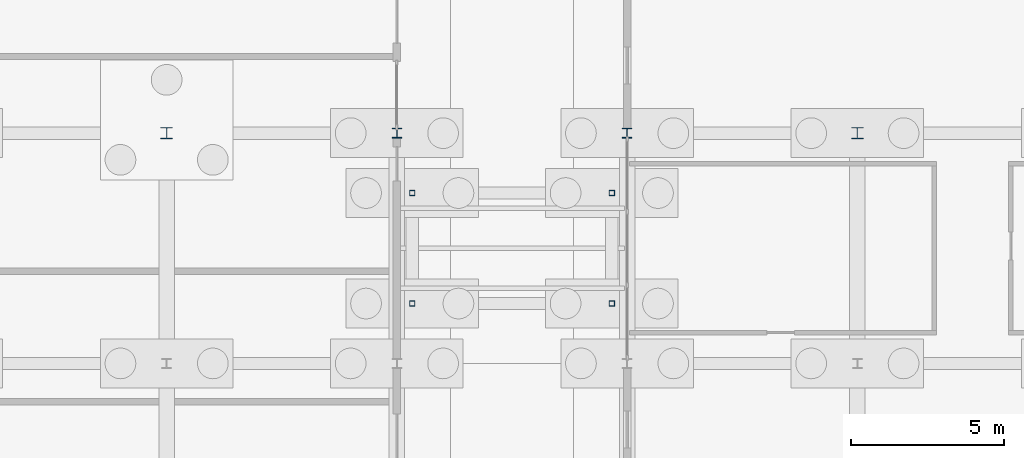
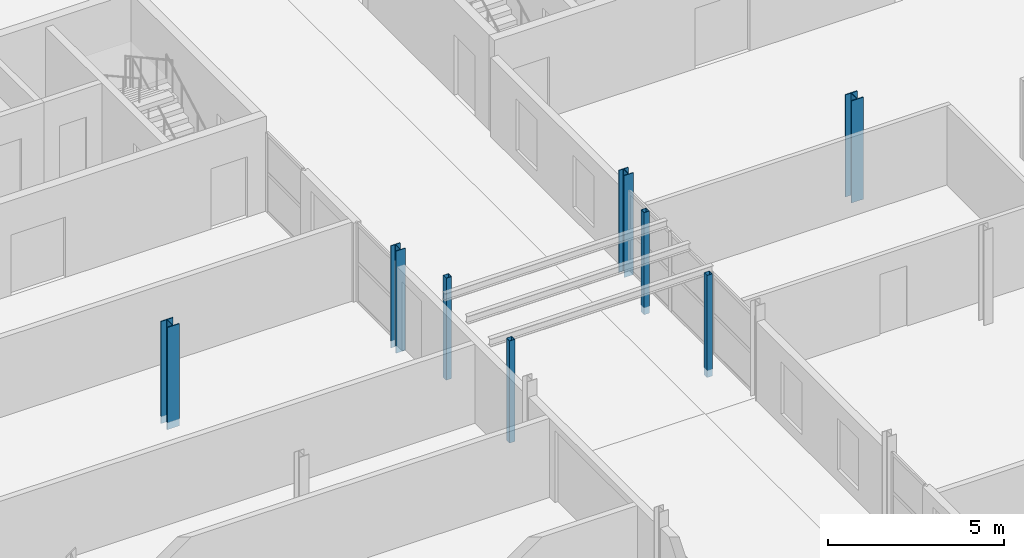
# One storey, part 28 of 130: 8 columns.
"""IFC4 building model written with IfcOpenShell, lengths in metres."""

import ifcopenshell
import ifcopenshell.guid

model = None  # the IFC model being written
_history = None  # IfcOwnerHistory: only IFC2X3 demands one
_inside = {}  # id of a spatial element -> (the spatial element, [elements in it])
_under = {}  # id of a project, library or spatial element -> (it, [spatial elements below it])
_declared = {}  # id of a project -> (the project, [libraries it declares])
_typed = {}  # id of a type object -> (the type object, [elements of that type])
_made_of = {}  # id of a material, layer set ... -> (it, [elements and type objects made of it])


def new_model(schema):
    """Start an empty IFC model of exactly this schema.

    Asked for "IFC4X3", IfcOpenShell would pick the latest addendum, in which some entities
    have other attributes; the version numbers below select the first issue.
    IFC2X3 requires an IfcOwnerHistory on every rooted entity: one is made here for all.
    """
    global model, _history
    if schema == "IFC4X3":
        model = ifcopenshell.file(schema_version=(4, 3, 0, 0))
    else:
        model = ifcopenshell.file(schema=schema)
    _inside.clear()
    _under.clear()
    _declared.clear()
    _typed.clear()
    _made_of.clear()
    _history = None
    if model.schema == "IFC2X3":
        org = make("IfcOrganization", Name="unknown")
        user = make(
            "IfcPersonAndOrganization",
            ThePerson=make("IfcPerson", FamilyName="unknown"),
            TheOrganization=org,
        )
        app = make(
            "IfcApplication",
            ApplicationDeveloper=org,
            Version="unknown",
            ApplicationFullName="unknown",
            ApplicationIdentifier="unknown",
        )
        _history = make(
            "IfcOwnerHistory",
            OwningUser=user,
            OwningApplication=app,
            ChangeAction="ADDED",
            CreationDate=0,
        )
    return model


def make(cls, **values):
    """One entity of the class cls with the attributes given. An attribute that is None is left unset."""
    return model.create_entity(
        cls, **{name: value for name, value in values.items() if value is not None}
    )


def rooted(cls, **values):
    """An entity with a GlobalId (a new one), such as an element, a storey or a relation."""
    return make(cls, GlobalId=ifcopenshell.guid.new(), OwnerHistory=_history, **values)


def si_unit(unit_type, name, prefix=None):
    """IfcSIUnit, for example si_unit("LENGTHUNIT", "METRE", prefix="MILLI")."""
    return make("IfcSIUnit", UnitType=unit_type, Prefix=prefix, Name=name)


def assignment(units):
    """IfcUnitAssignment: the units of a project."""
    return None if units is None else make("IfcUnitAssignment", Units=units)


def point(xyz):
    """IfcCartesianPoint."""
    return None if xyz is None else make("IfcCartesianPoint", Coordinates=xyz)


def direction(xyz):
    """IfcDirection."""
    return None if xyz is None else make("IfcDirection", DirectionRatios=xyz)


def frame(location, z_axis=None, x_axis=None):
    """IfcAxis2Placement3D, a coordinate frame: its origin and axes. An axis left out is left unset."""
    return make(
        "IfcAxis2Placement3D",
        Location=point(location),
        Axis=direction(z_axis),
        RefDirection=direction(x_axis),
    )


def frame_2d(location, x_axis=None):
    """IfcAxis2Placement2D, a coordinate frame in the plane: its origin and x axis."""
    return make(
        "IfcAxis2Placement2D", Location=point(location), RefDirection=direction(x_axis)
    )


def origin():
    """The frame at (0, 0, 0) with its axes left unset."""
    return frame((0.0, 0.0, 0.0))


def origin_2d():
    """The frame at (0, 0) in the plane with its x axis left unset."""
    return frame_2d((0.0, 0.0))


def place(relative_to, where):
    """IfcLocalPlacement: puts the frame where relative to a parent placement (None: the world)."""
    return make(
        "IfcLocalPlacement", PlacementRelTo=relative_to, RelativePlacement=where
    )


def context(
    kind, dimensions, precision=None, world=None, true_north=None, identifier=None
):
    """IfcGeometricRepresentationContext, for example the 3D "Model" context."""
    return make(
        "IfcGeometricRepresentationContext",
        ContextIdentifier=identifier,
        ContextType=kind,
        CoordinateSpaceDimension=dimensions,
        Precision=precision,
        WorldCoordinateSystem=world,
        TrueNorth=true_north,
    )


def subcontext(parent, identifier, kind, view, scale=None):
    """IfcGeometricRepresentationSubContext, for example "Body" below "Model"."""
    return make(
        "IfcGeometricRepresentationSubContext",
        ContextIdentifier=identifier,
        ContextType=kind,
        ParentContext=parent,
        TargetScale=scale,
        TargetView=view,
    )


def project(units=None, contexts=None):
    """IfcProject with its units and contexts."""
    return rooted(
        "IfcProject",
        Name="project",
        RepresentationContexts=contexts,
        UnitsInContext=assignment(units),
    )


def spatial(cls, under=None, at=None, **own):
    """A site, building, storey or space (cls), placed at a placement, below another one or the project."""
    s = rooted(cls, ObjectPlacement=at, **own)
    if under is not None:
        _under.setdefault(under.id(), (under, []))[1].append(s)
    return s


def profile(cls, at=None, kind="AREA", **sizes):
    """A parametric profile (cls). Its sizes go by their IFC names, for example OverallWidth=200.0."""
    return make(cls, ProfileType=kind, Position=at, **sizes)


def hollow_rectangle(**sizes):
    """IfcRectangleHollowProfileDef."""
    return profile("IfcRectangleHollowProfileDef", **sizes)


def i_section(**sizes):
    """IfcIShapeProfileDef."""
    return profile("IfcIShapeProfileDef", **sizes)


def extrude(swept, where, along, depth):
    """IfcExtrudedAreaSolid: the profile swept, set in the frame where, extruded along a direction by depth."""
    return make(
        "IfcExtrudedAreaSolid",
        SweptArea=swept,
        Position=where,
        ExtrudedDirection=direction(along),
        Depth=depth,
    )


def shape(context_of_items, identifier, shape_type, items):
    """IfcShapeRepresentation: the items that make up one representation, for example the "Body"."""
    return make(
        "IfcShapeRepresentation",
        ContextOfItems=context_of_items,
        RepresentationIdentifier=identifier,
        RepresentationType=shape_type,
        Items=items,
    )


def material(Name=None, Category=None):
    """IfcMaterial."""
    return make("IfcMaterial", Name=Name, Category=Category)


def material_profile(
    of_material, cross_section, Name=None, Category=None, Priority=None
):
    """IfcMaterialProfile: a cross section and its material."""
    return make(
        "IfcMaterialProfile",
        Name=Name,
        Material=of_material,
        Profile=cross_section,
        Priority=Priority,
        Category=Category,
    )


def profile_set(profiles, Name=None, composite=None):
    """IfcMaterialProfileSet."""
    return make(
        "IfcMaterialProfileSet",
        Name=Name,
        MaterialProfiles=profiles,
        CompositeProfile=composite,
    )


def made_of(thing, what):
    """Note that an element or type object is made of a material, layer set ...; save() writes the relation."""
    if what is not None:
        _made_of.setdefault(what.id(), (what, []))[1].append(thing)
    return thing


def type_object(cls, material=None, **own):
    """A type object (cls), such as IfcWallType, which elements share."""
    return made_of(rooted(cls, **own), material)


def element(
    cls,
    number,
    at=None,
    inside=None,
    cuts=None,
    type_object=None,
    material=None,
    context=None,
    identifier="Body",
    shape_type=None,
    held_by="IfcProductDefinitionShape",
    body=None,
    shapes=None,
    **own,
):
    """One element of the class cls, such as IfcWall. Its Tag is "e" and its number.

    at: its placement. inside: the storey or other place that contains it. cuts: it is an
    opening in that element (IfcRelVoidsElement). A single representation is given by context,
    identifier, shape_type and body (its items); several are given by shapes. held_by: the class
    of the entity that holds the representations. save() writes the other relations.
    """
    e = rooted(cls, Tag="e%d" % number, ObjectPlacement=at, **own)
    if body is not None:
        shapes = [shape(context, identifier, shape_type, body)]
    if shapes is not None:
        e.Representation = make(held_by, Representations=shapes)
    if inside is not None:
        _inside.setdefault(inside.id(), (inside, []))[1].append(e)
    if cuts is not None:
        rooted(
            "IfcRelVoidsElement", RelatingBuildingElement=cuts, RelatedOpeningElement=e
        )
    if type_object is not None:
        _typed.setdefault(type_object.id(), (type_object, []))[1].append(e)
    return made_of(e, material)


def aggregate(whole, parts):
    """IfcRelAggregates: a whole, such as a stair, and the parts it consists of."""
    return rooted("IfcRelAggregates", RelatingObject=whole, RelatedObjects=parts)


def save(model, path):
    """Write the relations noted so far, then the file.

    IfcRelAggregates (storeys below a building ...), IfcRelContainedInSpatialStructure (elements
    in a storey), IfcRelDefinesByType, IfcRelAssociatesMaterial and IfcRelDeclares: one each for
    every whole, place, type object, material and project.
    """
    for whole, parts in _under.values():
        aggregate(whole, parts)
    for where, things in _inside.values():
        rooted(
            "IfcRelContainedInSpatialStructure",
            RelatedElements=things,
            RelatingStructure=where,
        )
    for kind, things in _typed.values():
        rooted("IfcRelDefinesByType", RelatedObjects=things, RelatingType=kind)
    for what, things in _made_of.values():
        rooted("IfcRelAssociatesMaterial", RelatedObjects=things, RelatingMaterial=what)
    for by, libraries in _declared.values():
        rooted("IfcRelDeclares", RelatingContext=by, RelatedDefinitions=libraries)
    model.write(path)


model = new_model("IFC4")

# Units and contexts
model_context = context("Model", 3, precision=1e-05, world=origin(), true_north=direction((0.0, 1.0)))
body_context = subcontext(model_context, "Body", "Model", "MODEL_VIEW")
ifc_project = project(units=[si_unit("LENGTHUNIT", "METRE"), si_unit("AREAUNIT", "SQUARE_METRE"), si_unit("VOLUMEUNIT", "CUBIC_METRE"), si_unit("PLANEANGLEUNIT", "RADIAN"), si_unit("MASSUNIT", "GRAM", prefix="KILO")], contexts=[model_context])

# Site, building, storey
site_placement = place(None, origin())
site = spatial("IfcSite", under=ifc_project, at=site_placement, CompositionType="ELEMENT")
building_placement = place(site_placement, origin())
building = spatial("IfcBuilding", under=site, at=building_placement, Name="Parallax Yard Mobility Hub", CompositionType="ELEMENT")
storey_placement = place(building_placement, origin())
storey = spatial("IfcBuildingStorey", under=building, at=storey_placement, Name="L00", CompositionType="ELEMENT", Elevation=0.0)

# Columns
ifc_material_1 = material(Name="Steel ASTM A500 Gr C", Category="steel")
ifc_material_profile_1 = material_profile(ifc_material_1, hollow_rectangle(XDim=0.177734375, YDim=0.177734375, WallThickness=0.009521484375, at=origin_2d()), Name="HSS178x178x9.5")
ifc_profile_set_1 = profile_set([ifc_material_profile_1], Name="Steel ASTM A500 Gr C")
column_type_1 = type_object("IfcColumnType", Name="Roof column HSS178x178x9.5", PredefinedType="COLUMN", material=ifc_profile_set_1)
for number, where, z_axis, x_axis, name in (
    (1, (143.0, 31.949951171875, -0.25), (0.0, 0.0, 1.0), (1.0, 0.0, 0.0), "Bridge BR3 level L02 roof pier 1 at y 31.95 level L00"),
    (2, (149.5, 31.949951171875, -0.25), (0.0, 0.0, 1.0), (1.0, 0.0, 0.0), "Bridge BR3 level L02 roof pier 2 at y 31.95 level L00"),
    (3, (143.0, 35.550048828125, -0.25), (0.0, 0.0, 1.0), (1.0, 0.0, 0.0), "Bridge BR3 level L02 roof pier 1 at y 35.55 level L00"),
    (4, (149.5, 35.550048828125, -0.25), (0.0, 0.0, 1.0), (1.0, 0.0, 0.0), "Bridge BR3 level L02 roof pier 2 at y 35.55 level L00"),
):
    element("IfcColumn", number, at=place(storey_placement, frame(where, z_axis=z_axis, x_axis=x_axis)), inside=storey, type_object=column_type_1, Name=name, PredefinedType="COLUMN", context=body_context, shape_type="SweptSolid", body=[
        extrude(hollow_rectangle(XDim=0.177734375, YDim=0.177734375, WallThickness=0.009521484375, at=origin_2d()), origin(), (0.0, 0.0, 1.0), 3.550048828125),
    ])
ifc_material_2 = material(Name="Steel ASTM A992", Category="steel")
ifc_material_profile_2 = material_profile(ifc_material_2, i_section(OverallWidth=0.306884765625, OverallDepth=0.318115234375, WebThickness=0.01318359375, FlangeThickness=0.0205078125, FilletRadius=0.01513671875, at=origin_2d()), Name="W310x129")
ifc_profile_set_2 = profile_set([ifc_material_profile_2], Name="Steel ASTM A992")
column_type_2 = type_object("IfcColumnType", Name="W310x129 column", PredefinedType="COLUMN", material=ifc_profile_set_2)
column_1_placement = place(storey_placement, frame((150.0, 37.5, -0.25), z_axis=(0.0, 0.0, 1.0), x_axis=(1.0, 0.0, 0.0)))
element("IfcColumn", 5, at=column_1_placement, inside=storey, type_object=column_type_2, Name="Column C3 level L00 at F/21 of bicycle and shared-mobility hall", PredefinedType="COLUMN", context=body_context, shape_type="SweptSolid", body=[
    extrude(i_section(OverallWidth=0.306884765625, OverallDepth=0.318115234375, WebThickness=0.01318359375, FlangeThickness=0.0205078125, FilletRadius=0.01513671875, at=origin_2d()), origin(), (0.0, 0.0, 1.0), 3.550048828125),
])
ifc_material_profile_3 = material_profile(ifc_material_2, i_section(OverallWidth=0.31005859375, OverallDepth=0.322998046875, WebThickness=0.013916015625, FlangeThickness=0.02294921875, FilletRadius=0.01513671875, at=origin_2d()), Name="W310x143")
ifc_profile_set_3 = profile_set([ifc_material_profile_3], Name="Steel ASTM A992")
column_type_3 = type_object("IfcColumnType", Name="W310x143 column", PredefinedType="COLUMN", material=ifc_profile_set_3)
column_2_placement = place(storey_placement, frame((142.5, 37.5, -0.25), z_axis=(0.0, 0.0, 1.0), x_axis=(1.0, 0.0, 0.0)))
element("IfcColumn", 6, at=column_2_placement, inside=storey, type_object=column_type_3, Name="Column C5 level L00 at F/20 of mobility service centre and workshops", PredefinedType="COLUMN", context=body_context, shape_type="SweptSolid", body=[
    extrude(i_section(OverallWidth=0.31005859375, OverallDepth=0.322998046875, WebThickness=0.013916015625, FlangeThickness=0.02294921875, FilletRadius=0.01513671875, at=origin_2d()), origin(), (0.0, 0.0, 1.0), 3.550048828125),
])
ifc_material_profile_4 = material_profile(ifc_material_2, i_section(OverallWidth=0.39404296875, OverallDepth=0.3759765625, WebThickness=0.017333984375, FlangeThickness=0.027587890625, FilletRadius=0.01513671875, at=origin_2d()), Name="W360x216")
ifc_profile_set_4 = profile_set([ifc_material_profile_4], Name="Steel ASTM A992")
column_type_4 = type_object("IfcColumnType", Name="W360x216 column", PredefinedType="COLUMN", material=ifc_profile_set_4)
column_3_placement = place(storey_placement, frame((157.5, 37.5, -0.25), z_axis=(0.0, 0.0, 1.0), x_axis=(1.0, 0.0, 0.0)))
element("IfcColumn", 7, at=column_3_placement, inside=storey, type_object=column_type_4, Name="Column C9 level L00 at F/22 of bicycle and shared-mobility hall", PredefinedType="COLUMN", context=body_context, shape_type="SweptSolid", body=[
    extrude(i_section(OverallWidth=0.39404296875, OverallDepth=0.3759765625, WebThickness=0.017333984375, FlangeThickness=0.027587890625, FilletRadius=0.01513671875, at=origin_2d()), origin(), (0.0, 0.0, 1.0), 3.550048828125),
])
ifc_material_profile_5 = material_profile(ifc_material_2, i_section(OverallWidth=0.39599609375, OverallDepth=0.381103515625, WebThickness=0.018798828125, FlangeThickness=0.0302734375, FilletRadius=0.015380859375, at=origin_2d()), Name="W360x237")
ifc_profile_set_5 = profile_set([ifc_material_profile_5], Name="Steel ASTM A992")
column_type_5 = type_object("IfcColumnType", Name="W360x237 column", PredefinedType="COLUMN", material=ifc_profile_set_5)
column_4_placement = place(storey_placement, frame((135.0, 37.5, -0.25), z_axis=(0.0, 0.0, 1.0), x_axis=(1.0, 0.0, 0.0)))
element("IfcColumn", 8, at=column_4_placement, inside=storey, type_object=column_type_5, Name="Column C10 level L00 at F/19 of mobility service centre and workshops", PredefinedType="COLUMN", context=body_context, shape_type="SweptSolid", body=[
    extrude(i_section(OverallWidth=0.39599609375, OverallDepth=0.381103515625, WebThickness=0.018798828125, FlangeThickness=0.0302734375, FilletRadius=0.015380859375, at=origin_2d()), origin(), (0.0, 0.0, 1.0), 3.550048828125),
])

save(model, "model.ifc")
